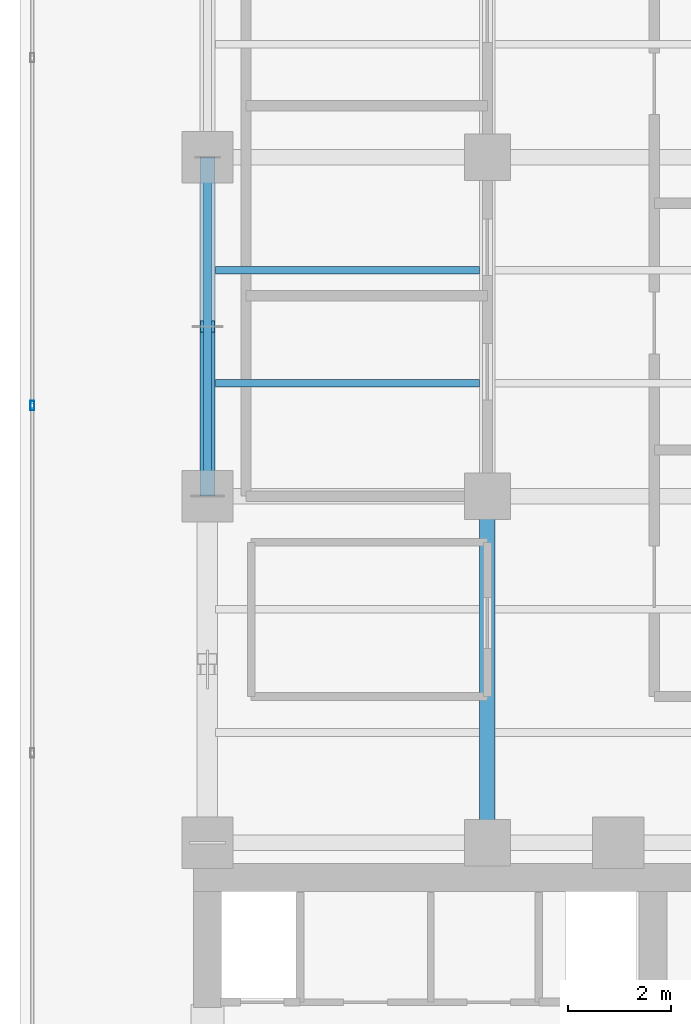
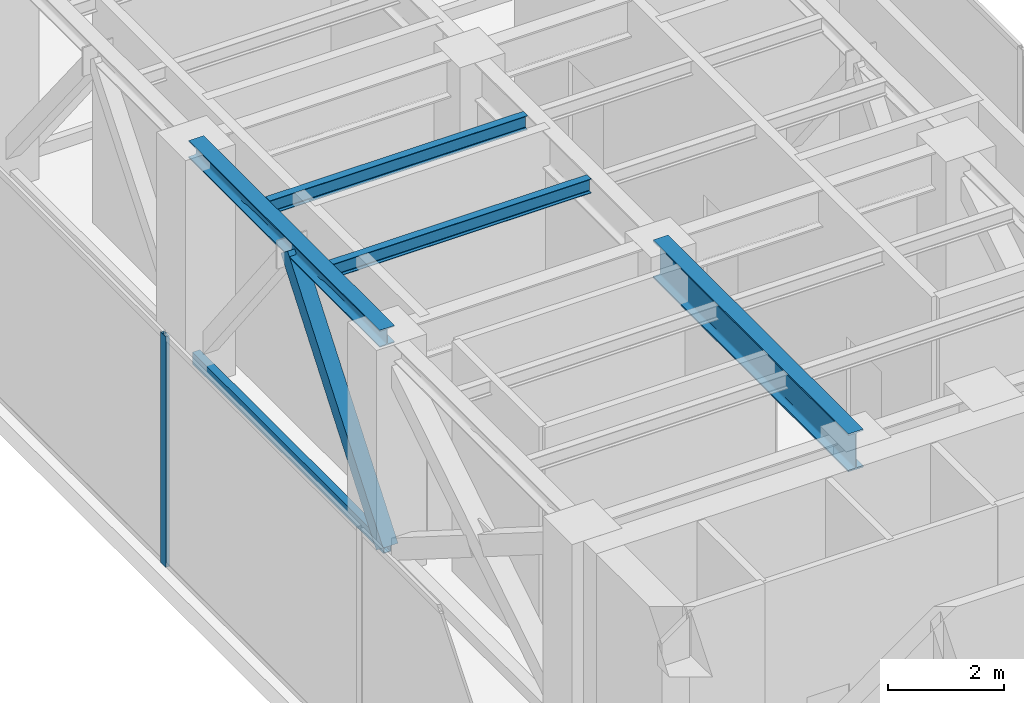
# One storey, part 11 of 31: 4 beams, 3 members, 1 element without a shape of its own.
"""IFC4 building model written with IfcOpenShell, lengths in metres."""

import ifcopenshell
import ifcopenshell.guid

model = None  # the IFC model being written
_history = None  # IfcOwnerHistory: only IFC2X3 demands one
_inside = {}  # id of a spatial element -> (the spatial element, [elements in it])
_under = {}  # id of a project, library or spatial element -> (it, [spatial elements below it])
_declared = {}  # id of a project -> (the project, [libraries it declares])
_typed = {}  # id of a type object -> (the type object, [elements of that type])
_made_of = {}  # id of a material, layer set ... -> (it, [elements and type objects made of it])


def new_model(schema):
    """Start an empty IFC model of exactly this schema.

    Asked for "IFC4X3", IfcOpenShell would pick the latest addendum, in which some entities
    have other attributes; the version numbers below select the first issue.
    IFC2X3 requires an IfcOwnerHistory on every rooted entity: one is made here for all.
    """
    global model, _history
    if schema == "IFC4X3":
        model = ifcopenshell.file(schema_version=(4, 3, 0, 0))
    else:
        model = ifcopenshell.file(schema=schema)
    _inside.clear()
    _under.clear()
    _declared.clear()
    _typed.clear()
    _made_of.clear()
    _history = None
    if model.schema == "IFC2X3":
        org = make("IfcOrganization", Name="unknown")
        user = make(
            "IfcPersonAndOrganization",
            ThePerson=make("IfcPerson", FamilyName="unknown"),
            TheOrganization=org,
        )
        app = make(
            "IfcApplication",
            ApplicationDeveloper=org,
            Version="unknown",
            ApplicationFullName="unknown",
            ApplicationIdentifier="unknown",
        )
        _history = make(
            "IfcOwnerHistory",
            OwningUser=user,
            OwningApplication=app,
            ChangeAction="ADDED",
            CreationDate=0,
        )
    return model


def make(cls, **values):
    """One entity of the class cls with the attributes given. An attribute that is None is left unset."""
    return model.create_entity(
        cls, **{name: value for name, value in values.items() if value is not None}
    )


def rooted(cls, **values):
    """An entity with a GlobalId (a new one), such as an element, a storey or a relation."""
    return make(cls, GlobalId=ifcopenshell.guid.new(), OwnerHistory=_history, **values)


def si_unit(unit_type, name, prefix=None):
    """IfcSIUnit, for example si_unit("LENGTHUNIT", "METRE", prefix="MILLI")."""
    return make("IfcSIUnit", UnitType=unit_type, Prefix=prefix, Name=name)


def assignment(units):
    """IfcUnitAssignment: the units of a project."""
    return None if units is None else make("IfcUnitAssignment", Units=units)


def point(xyz):
    """IfcCartesianPoint."""
    return None if xyz is None else make("IfcCartesianPoint", Coordinates=xyz)


def direction(xyz):
    """IfcDirection."""
    return None if xyz is None else make("IfcDirection", DirectionRatios=xyz)


def frame(location, z_axis=None, x_axis=None):
    """IfcAxis2Placement3D, a coordinate frame: its origin and axes. An axis left out is left unset."""
    return make(
        "IfcAxis2Placement3D",
        Location=point(location),
        Axis=direction(z_axis),
        RefDirection=direction(x_axis),
    )


def frame_2d(location, x_axis=None):
    """IfcAxis2Placement2D, a coordinate frame in the plane: its origin and x axis."""
    return make(
        "IfcAxis2Placement2D", Location=point(location), RefDirection=direction(x_axis)
    )


def origin():
    """The frame at (0, 0, 0) with its axes left unset."""
    return frame((0.0, 0.0, 0.0))


def origin_with_axes():
    """The frame at (0, 0, 0) with the z axis (0, 0, 1) and the x axis (1, 0, 0) written out."""
    return frame((0.0, 0.0, 0.0), z_axis=(0.0, 0.0, 1.0), x_axis=(1.0, 0.0, 0.0))


def origin_2d():
    """The frame at (0, 0) in the plane with its x axis left unset."""
    return frame_2d((0.0, 0.0))


def place(relative_to, where):
    """IfcLocalPlacement: puts the frame where relative to a parent placement (None: the world)."""
    return make(
        "IfcLocalPlacement", PlacementRelTo=relative_to, RelativePlacement=where
    )


def context(
    kind, dimensions, precision=None, world=None, true_north=None, identifier=None
):
    """IfcGeometricRepresentationContext, for example the 3D "Model" context."""
    return make(
        "IfcGeometricRepresentationContext",
        ContextIdentifier=identifier,
        ContextType=kind,
        CoordinateSpaceDimension=dimensions,
        Precision=precision,
        WorldCoordinateSystem=world,
        TrueNorth=true_north,
    )


def subcontext(parent, identifier, kind, view, scale=None):
    """IfcGeometricRepresentationSubContext, for example "Body" below "Model"."""
    return make(
        "IfcGeometricRepresentationSubContext",
        ContextIdentifier=identifier,
        ContextType=kind,
        ParentContext=parent,
        TargetScale=scale,
        TargetView=view,
    )


def project(units=None, contexts=None):
    """IfcProject with its units and contexts."""
    return rooted(
        "IfcProject",
        Name="project",
        RepresentationContexts=contexts,
        UnitsInContext=assignment(units),
    )


def spatial(cls, under=None, at=None, **own):
    """A site, building, storey or space (cls), placed at a placement, below another one or the project."""
    s = rooted(cls, ObjectPlacement=at, **own)
    if under is not None:
        _under.setdefault(under.id(), (under, []))[1].append(s)
    return s


def profile(cls, at=None, kind="AREA", **sizes):
    """A parametric profile (cls). Its sizes go by their IFC names, for example OverallWidth=200.0."""
    return make(cls, ProfileType=kind, Position=at, **sizes)


def hollow_rectangle(**sizes):
    """IfcRectangleHollowProfileDef."""
    return profile("IfcRectangleHollowProfileDef", **sizes)


def i_section(**sizes):
    """IfcIShapeProfileDef."""
    return profile("IfcIShapeProfileDef", **sizes)


def extrude(swept, where, along, depth):
    """IfcExtrudedAreaSolid: the profile swept, set in the frame where, extruded along a direction by depth."""
    return make(
        "IfcExtrudedAreaSolid",
        SweptArea=swept,
        Position=where,
        ExtrudedDirection=direction(along),
        Depth=depth,
    )


def shape(context_of_items, identifier, shape_type, items):
    """IfcShapeRepresentation: the items that make up one representation, for example the "Body"."""
    return make(
        "IfcShapeRepresentation",
        ContextOfItems=context_of_items,
        RepresentationIdentifier=identifier,
        RepresentationType=shape_type,
        Items=items,
    )


def source(mapping_origin, context_of_items, identifier, shape_type, items):
    """IfcRepresentationMap: a shape defined once, which mapped items show again and again."""
    return make(
        "IfcRepresentationMap",
        MappingOrigin=mapping_origin,
        MappedRepresentation=shape(context_of_items, identifier, shape_type, items),
    )


def transform(
    local_origin,
    x_axis=None,
    y_axis=None,
    z_axis=None,
    scale=None,
    scale2=None,
    scale3=None,
    uniform=True,
):
    """IfcCartesianTransformationOperator3D, or its non-uniform kind. x_axis, y_axis, z_axis: its Axis1, 2, 3."""
    if uniform:
        return make(
            "IfcCartesianTransformationOperator3D",
            Axis1=direction(x_axis),
            Axis2=direction(y_axis),
            LocalOrigin=point(local_origin),
            Scale=scale,
            Axis3=direction(z_axis),
        )
    return make(
        "IfcCartesianTransformationOperator3DnonUniform",
        Axis1=direction(x_axis),
        Axis2=direction(y_axis),
        LocalOrigin=point(local_origin),
        Scale=scale,
        Axis3=direction(z_axis),
        Scale2=scale2,
        Scale3=scale3,
    )


def mapped(mapping_source, mapping_target):
    """IfcMappedItem: shows the shape of a source again, moved by a transform."""
    return make(
        "IfcMappedItem", MappingSource=mapping_source, MappingTarget=mapping_target
    )


def material(Name=None, Category=None):
    """IfcMaterial."""
    return make("IfcMaterial", Name=Name, Category=Category)


def layer(
    of_material, thickness, ventilated=None, Name=None, Category=None, Priority=None
):
    """IfcMaterialLayer: one layer of a wall or slab, of a material (None: an air gap)."""
    return make(
        "IfcMaterialLayer",
        Material=of_material,
        LayerThickness=thickness,
        IsVentilated=ventilated,
        Name=Name,
        Category=Category,
        Priority=Priority,
    )


def layer_set(layers, Name=None):
    """IfcMaterialLayerSet."""
    return make("IfcMaterialLayerSet", MaterialLayers=layers, LayerSetName=Name)


def material_profile(
    of_material, cross_section, Name=None, Category=None, Priority=None
):
    """IfcMaterialProfile: a cross section and its material."""
    return make(
        "IfcMaterialProfile",
        Name=Name,
        Material=of_material,
        Profile=cross_section,
        Priority=Priority,
        Category=Category,
    )


def profile_set(profiles, Name=None, composite=None):
    """IfcMaterialProfileSet."""
    return make(
        "IfcMaterialProfileSet",
        Name=Name,
        MaterialProfiles=profiles,
        CompositeProfile=composite,
    )


def made_of(thing, what):
    """Note that an element or type object is made of a material, layer set ...; save() writes the relation."""
    if what is not None:
        _made_of.setdefault(what.id(), (what, []))[1].append(thing)
    return thing


def type_object(cls, material=None, **own):
    """A type object (cls), such as IfcWallType, which elements share."""
    return made_of(rooted(cls, **own), material)


def element(
    cls,
    number,
    at=None,
    inside=None,
    cuts=None,
    type_object=None,
    material=None,
    context=None,
    identifier="Body",
    shape_type=None,
    held_by="IfcProductDefinitionShape",
    body=None,
    shapes=None,
    **own,
):
    """One element of the class cls, such as IfcWall. Its Tag is "e" and its number.

    at: its placement. inside: the storey or other place that contains it. cuts: it is an
    opening in that element (IfcRelVoidsElement). A single representation is given by context,
    identifier, shape_type and body (its items); several are given by shapes. held_by: the class
    of the entity that holds the representations. save() writes the other relations.
    """
    e = rooted(cls, Tag="e%d" % number, ObjectPlacement=at, **own)
    if body is not None:
        shapes = [shape(context, identifier, shape_type, body)]
    if shapes is not None:
        e.Representation = make(held_by, Representations=shapes)
    if inside is not None:
        _inside.setdefault(inside.id(), (inside, []))[1].append(e)
    if cuts is not None:
        rooted(
            "IfcRelVoidsElement", RelatingBuildingElement=cuts, RelatedOpeningElement=e
        )
    if type_object is not None:
        _typed.setdefault(type_object.id(), (type_object, []))[1].append(e)
    return made_of(e, material)


def aggregate(whole, parts):
    """IfcRelAggregates: a whole, such as a stair, and the parts it consists of."""
    return rooted("IfcRelAggregates", RelatingObject=whole, RelatedObjects=parts)


def save(model, path):
    """Write the relations noted so far, then the file.

    IfcRelAggregates (storeys below a building ...), IfcRelContainedInSpatialStructure (elements
    in a storey), IfcRelDefinesByType, IfcRelAssociatesMaterial and IfcRelDeclares: one each for
    every whole, place, type object, material and project.
    """
    for whole, parts in _under.values():
        aggregate(whole, parts)
    for where, things in _inside.values():
        rooted(
            "IfcRelContainedInSpatialStructure",
            RelatedElements=things,
            RelatingStructure=where,
        )
    for kind, things in _typed.values():
        rooted("IfcRelDefinesByType", RelatedObjects=things, RelatingType=kind)
    for what, things in _made_of.values():
        rooted("IfcRelAssociatesMaterial", RelatedObjects=things, RelatingMaterial=what)
    for by, libraries in _declared.values():
        rooted("IfcRelDeclares", RelatingContext=by, RelatedDefinitions=libraries)
    model.write(path)


model = new_model("IFC4")

# Units and contexts
model_context = context("Model", 3, precision=1e-05, world=origin(), true_north=direction((0.0, 1.0)))
body_context = subcontext(model_context, "Body", "Model", "MODEL_VIEW")
ifc_project = project(units=[si_unit("LENGTHUNIT", "METRE"), si_unit("AREAUNIT", "SQUARE_METRE"), si_unit("VOLUMEUNIT", "CUBIC_METRE"), si_unit("PLANEANGLEUNIT", "RADIAN"), si_unit("MASSUNIT", "GRAM", prefix="KILO")], contexts=[model_context])

# Site, building, storey
site_placement = place(None, origin())
site = spatial("IfcSite", under=ifc_project, at=site_placement, CompositionType="ELEMENT")
building_placement = place(site_placement, origin())
building = spatial("IfcBuilding", under=site, at=building_placement, Name="Kolvaren Waterfront Exchange", CompositionType="ELEMENT")
storey_placement = place(building_placement, frame((0.0, 0.0, 257.699951171875)))
storey = spatial("IfcBuildingStorey", under=building, at=storey_placement, Name="L66", CompositionType="ELEMENT", Elevation=257.699951171875)

# Beams
ifc_material_1 = material(Name="Steel S355", Category="steel")
ifc_material_profile_1 = material_profile(ifc_material_1, i_section(OverallWidth=0.300048828125, OverallDepth=0.360107421875, WebThickness=0.012451171875, FlangeThickness=0.0224609375, FilletRadius=0.027099609375, at=origin_2d()), Name="HEB360")
ifc_profile_set_1 = profile_set([ifc_material_profile_1], Name="Steel S355")
beam_type_1 = type_object("IfcBeamType", Name="STR-BM-HEB360", PredefinedType="SPANDREL", material=ifc_profile_set_1)
beam_1_placement = place(storey_placement, frame((7.449951171875, 31.199951171875, 4.679931640625), z_axis=(0.0, 1.0, 0.0), x_axis=(-1.0, 0.0, 0.0)))
element("IfcBeam", 1, at=beam_1_placement, inside=storey, type_object=beam_type_1, Name="L66 north-arm edge beam 2", PredefinedType="SPANDREL", context=body_context, shape_type="SweptSolid", body=[
    extrude(i_section(OverallWidth=0.300048828125, OverallDepth=0.360107421875, WebThickness=0.012451171875, FlangeThickness=0.0224609375, FilletRadius=0.027099609375, at=origin_2d()), origin(), (0.0, 0.0, 1.0), 6.60009765625),
])
ifc_material_profile_2 = material_profile(ifc_material_1, i_section(OverallWidth=0.300048828125, OverallDepth=0.800048828125, WebThickness=0.017578125, FlangeThickness=0.032958984375, FilletRadius=0.030029296875, at=origin_2d()), Name="HEB800")
ifc_profile_set_2 = profile_set([ifc_material_profile_2], Name="Steel S355")
beam_type_2 = type_object("IfcBeamType", Name="STR-BM-HEB800", PredefinedType="BEAM", material=ifc_profile_set_2)
beam_2_placement = place(storey_placement, frame((12.89990234375, 24.449951171875, 4.4599609375), z_axis=(0.0, 1.0, 0.0), x_axis=(-1.0, 0.0, 0.0)))
element("IfcBeam", 2, at=beam_2_placement, inside=storey, type_object=beam_type_2, Name="L66 north-arm edge beam 1", PredefinedType="BEAM", context=body_context, shape_type="SweptSolid", body=[
    extrude(i_section(OverallWidth=0.300048828125, OverallDepth=0.800048828125, WebThickness=0.017578125, FlangeThickness=0.032958984375, FilletRadius=0.030029296875, at=origin_2d()), origin(), (0.0, 0.0, 1.0), 6.75),
])
ifc_material_profile_3 = material_profile(ifc_material_1, i_section(OverallWidth=0.14990234375, OverallDepth=0.300048828125, WebThickness=0.007080078125, FlangeThickness=0.0107421875, FilletRadius=0.014892578125, at=origin_2d()), Name="IPE300")
ifc_profile_set_3 = profile_set([ifc_material_profile_3], Name="Steel S355")
beam_type_3 = type_object("IfcBeamType", Name="STR-BM-IPE300", PredefinedType="JOIST", material=ifc_profile_set_3)
for number, where, z_axis, x_axis, name in (
    (3, (7.60205078125, 33.39990234375, 4.7099609375), (1.0, 0.0, 0.0), (0.0, 1.0, 0.0), "L66 north-arm composite joist 3A"),
    (4, (7.60205078125, 35.60009765625, 4.7099609375), (1.0, 0.0, 0.0), (0.0, 1.0, 0.0), "L66 north-arm composite joist 4A"),
):
    element("IfcBeam", number, at=place(storey_placement, frame(where, z_axis=z_axis, x_axis=x_axis)), inside=storey, type_object=beam_type_3, Name=name, PredefinedType="JOIST", context=body_context, shape_type="SweptSolid", body=[
        extrude(i_section(OverallWidth=0.14990234375, OverallDepth=0.300048828125, WebThickness=0.007080078125, FlangeThickness=0.0107421875, FilletRadius=0.014892578125, at=origin_2d()), origin(), (0.0, 0.0, 1.0), 5.14599609375),
    ])

# Members
ifc_material_2 = material(Name="Steel S460", Category="steel")
ifc_material_profile_4 = material_profile(ifc_material_2, hollow_rectangle(XDim=0.14990234375, YDim=0.25, WallThickness=0.010009765625, at=origin_2d()), Name="RHS250x150x10")
ifc_profile_set_4 = profile_set([ifc_material_profile_4], Name="Steel S460")
member_type_1 = type_object("IfcMemberType", Name="STR-BR-RHS250", PredefinedType="CHORD", material=ifc_profile_set_4)
member_1_placement = place(storey_placement, frame((7.449951171875, 31.199951171875, 0.25), z_axis=(0.0, 1.0, 0.0), x_axis=(-1.0, 0.0, 0.0)))
element("IfcMember", 5, at=member_1_placement, inside=storey, type_object=member_type_1, Name="L66 belt-truss bottom chord BT4", PredefinedType="CHORD", context=body_context, shape_type="SweptSolid", body=[
    extrude(hollow_rectangle(XDim=0.14990234375, YDim=0.25, WallThickness=0.010009765625, at=origin_2d()), origin(), (0.0, 0.0, 1.0), 6.60009765625),
])
ifc_material_profile_5 = material_profile(ifc_material_1, hollow_rectangle(XDim=0.300048828125, YDim=0.300048828125, WallThickness=0.01611328125, at=origin_2d()), Name="SHS300x300x16")
ifc_profile_set_5 = profile_set([ifc_material_profile_5], Name="Steel S355")
member_type_2 = type_object("IfcMemberType", Name="STR-BR-SHS300", PredefinedType="BRACE", material=ifc_profile_set_5)
member_2_placement = place(storey_placement, frame((7.449951171875, 31.199951171875, 0.25), z_axis=(0.0, 0.612402527517, 0.790546105101), x_axis=(-1.0, 0.0, 0.0)))
element("IfcMember", 6, at=member_2_placement, inside=storey, type_object=member_type_2, Name="L66 belt-truss chevron brace BT4L", PredefinedType="BRACE", context=body_context, shape_type="SweptSolid", body=[
    extrude(hollow_rectangle(XDim=0.300048828125, YDim=0.300048828125, WallThickness=0.01611328125, at=origin_2d()), origin(), (0.0, 0.0, 1.0), 5.388671875),
])

# Curtain wall, member
ifc_material_3 = material(Name="Anodised dark bronze spandrel aluminium", Category="aluminium")
ifc_layer = layer(ifc_material_3, 0.219970703125, Name="Anodised dark bronze spandrel aluminium")
ifc_layer_set = layer_set([ifc_layer], Name="Anodised dark bronze spandrel aluminium")
curtain_wall_type = type_object("IfcCurtainWallType", Name="ARC-CW-SYS6", PredefinedType="USERDEFINED", material=ifc_layer_set)
curtain_wall_placement = place(storey_placement, origin())
curtain_wall = element("IfcCurtainWall", 7, at=curtain_wall_placement, inside=storey, type_object=curtain_wall_type, Name="L66 stick curtain wall CW6 (CW-L66-W)", ObjectType="STICK CURTAIN WALL", PredefinedType="USERDEFINED")
ifc_material_4 = material(Name="Anodised bronze aluminium 6063-T6", Category="aluminium")
ifc_material_profile_6 = material_profile(ifc_material_4, hollow_rectangle(XDim=0.074951171875, YDim=0.179931640625, WallThickness=0.00439453125, at=origin_2d()), Name="ALU-MUL-180x75x4.5")
ifc_profile_set_6 = profile_set([ifc_material_profile_6], Name="Anodised bronze aluminium 6063-T6")
member_type_3 = type_object("IfcMemberType", Name="ARC-CWM-180", PredefinedType="MULLION", material=ifc_profile_set_6)
shared_shape = source(origin_with_axes(), body_context, "Body", "SweptSolid", [
    extrude(hollow_rectangle(XDim=0.074951171875, YDim=0.179931640625, WallThickness=0.00439453125, at=origin_2d()), origin(), (0.0, 0.0, 1.0), 4.860107421875),
])
member_3_placement = place(storey_placement, frame((4.0400390625, 32.966552734375, 0.0), z_axis=(0.0, 0.0, 1.0), x_axis=(-1.0, 0.0, 0.0)))
member_3 = element("IfcMember", 8, at=member_3_placement, type_object=member_type_3, Name="CW6 mullion 5", PredefinedType="MULLION", context=body_context, shape_type="MappedRepresentation", body=[
    mapped(shared_shape, transform((0.0, 0.0, 0.0), x_axis=(1.0, 0.0, 0.0), y_axis=(0.0, 1.0, 0.0), z_axis=(0.0, 0.0, 1.0), scale=1.0)),
])
aggregate(curtain_wall, [member_3])

save(model, "model.ifc")
